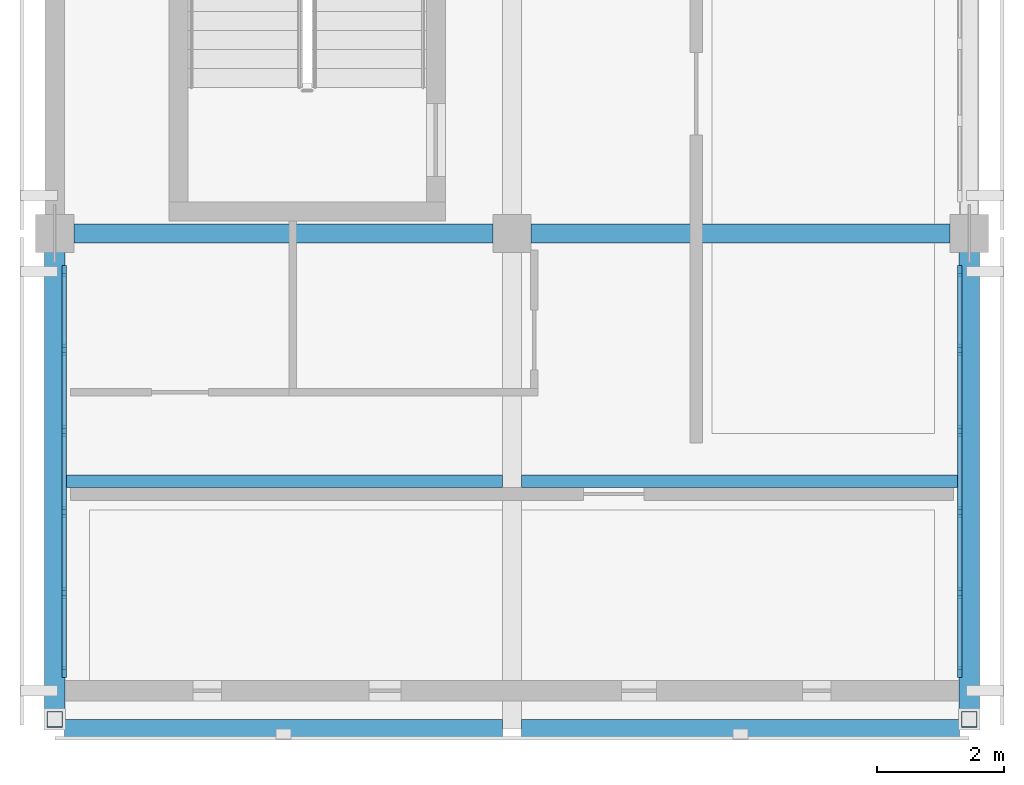
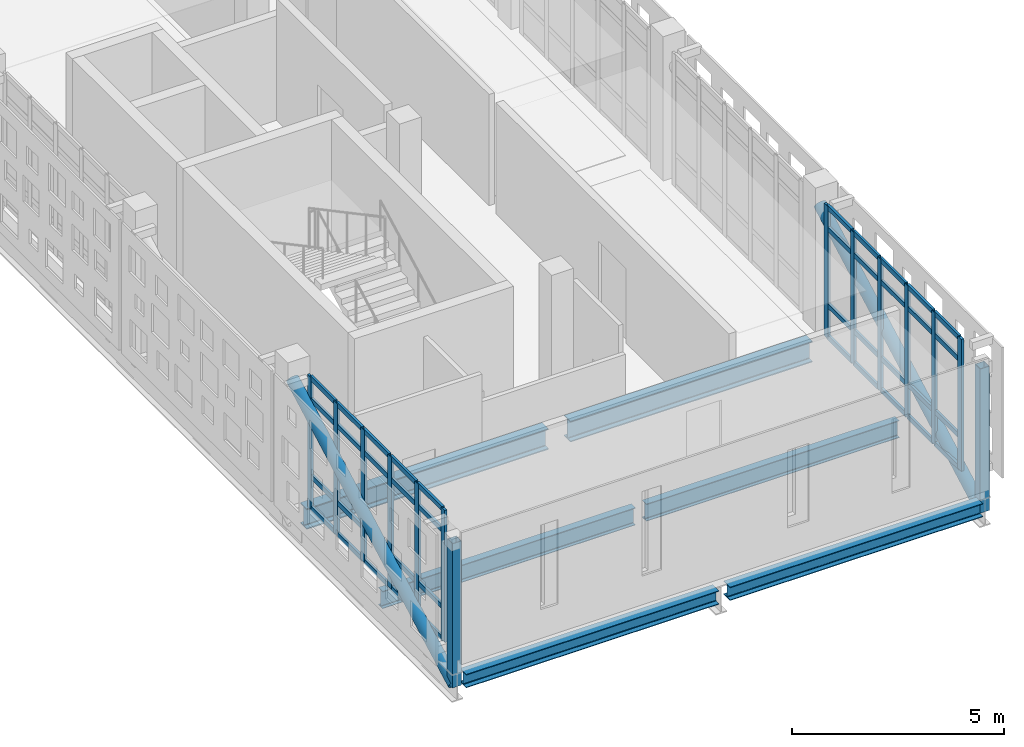
# One storey, part 2 of 21: 56 members, 6 beams, 2 elements without a shape of their own.
"""IFC4 building model written with IfcOpenShell, lengths in metres."""

from ifc_helpers import new_model, si_unit, direction, frame, origin, origin_2d, place, context, subcontext, project, spatial, rectangle, hollow_rectangle, hollow_circle, i_section, extrude, material, layer, layer_set, material_profile, profile_set, type_object, element, aggregate, save


model = new_model("IFC4")

# Units and contexts
model_context = context("Model", 3, precision=1e-05, world=origin(), true_north=direction((0.0, 1.0)))
body_context = subcontext(model_context, "Body", "Model", "MODEL_VIEW")
ifc_project = project(units=[si_unit("LENGTHUNIT", "METRE"), si_unit("AREAUNIT", "SQUARE_METRE"), si_unit("VOLUMEUNIT", "CUBIC_METRE"), si_unit("PLANEANGLEUNIT", "RADIAN"), si_unit("MASSUNIT", "GRAM", prefix="KILO")], contexts=[model_context])

# Site, building, storey
site_placement = place(None, origin())
site = spatial("IfcSite", under=ifc_project, at=site_placement, CompositionType="ELEMENT")
building_placement = place(site_placement, origin())
building = spatial("IfcBuilding", under=site, at=building_placement, Name="Valkovuoma Quantum and Materials Research Institute", CompositionType="ELEMENT")
storey_placement = place(building_placement, frame((0.0, 0.0, 33.919921875)))
storey = spatial("IfcBuildingStorey", under=building, at=storey_placement, Name="L08", CompositionType="ELEMENT", Elevation=33.919921875)

# Beams
ifc_material_1 = material(Name="Steel S355J2", Category="steel")
ifc_material_profile_1 = material_profile(ifc_material_1, i_section(OverallWidth=0.300048828125, OverallDepth=0.389892578125, WebThickness=0.010986328125, FlangeThickness=0.01904296875, FilletRadius=0.027099609375, at=origin_2d()), Name="Steel S355J2")
ifc_profile_set_1 = profile_set([ifc_material_profile_1], Name="Steel S355J2")
beam_type_1 = type_object("IfcBeamType", Name="Beam-B-HEA400", PredefinedType="SPANDREL", material=ifc_profile_set_1)
beam_1_placement = place(storey_placement, frame((0.14990234375, 21.0, -0.544921875), z_axis=(1.0, 0.0, 0.0), x_axis=(0.0, 1.0, 0.0)))
element("IfcBeam", 1, at=beam_1_placement, inside=storey, type_object=beam_type_1, Name="L08 cantilever tip beam 1", PredefinedType="SPANDREL", context=body_context, shape_type="SweptSolid", body=[
    extrude(i_section(OverallWidth=0.300048828125, OverallDepth=0.389892578125, WebThickness=0.010986328125, FlangeThickness=0.01904296875, FilletRadius=0.027099609375, at=origin_2d()), origin(), (0.0, 0.0, 1.0), 6.900146484375),
])
beam_2_placement = place(storey_placement, frame((7.35009765625, 21.0, -0.544921875), z_axis=(1.0, 0.0, 0.0), x_axis=(0.0, 1.0, 0.0)))
element("IfcBeam", 2, at=beam_2_placement, inside=storey, type_object=beam_type_1, Name="L08 cantilever tip beam 2", PredefinedType="SPANDREL", context=body_context, shape_type="SweptSolid", body=[
    extrude(i_section(OverallWidth=0.300048828125, OverallDepth=0.389892578125, WebThickness=0.010986328125, FlangeThickness=0.01904296875, FilletRadius=0.027099609375, at=origin_2d()), origin(), (0.0, 0.0, 1.0), 6.89990234375),
])
ifc_material_2 = material(Name="Steel S355J2", Category="steel")
ifc_material_profile_2 = material_profile(ifc_material_2, i_section(OverallWidth=0.300048828125, OverallDepth=0.60009765625, WebThickness=0.015380859375, FlangeThickness=0.030029296875, FilletRadius=0.027099609375, at=origin_2d()), Name="Steel S355J2")
ifc_profile_set_2 = profile_set([ifc_material_profile_2], Name="Steel S355J2")
beam_type_2 = type_object("IfcBeamType", Name="Beam-B-HEB600", PredefinedType="BEAM", material=ifc_profile_set_2)
beam_3_placement = place(storey_placement, frame((0.300048828125, 28.800048828125, -0.64990234375), z_axis=(1.0, 0.0, 0.0), x_axis=(0.0, 1.0, 0.0)))
element("IfcBeam", 3, at=beam_3_placement, inside=storey, type_object=beam_type_2, Name="L08 beam X-2532", PredefinedType="BEAM", context=body_context, shape_type="SweptSolid", body=[
    extrude(i_section(OverallWidth=0.300048828125, OverallDepth=0.60009765625, WebThickness=0.015380859375, FlangeThickness=0.030029296875, FilletRadius=0.027099609375, at=origin_2d()), origin(), (0.0, 0.0, 1.0), 6.599853515625),
])
beam_4_placement = place(storey_placement, frame((7.5, 28.800048828125, -0.64990234375), z_axis=(1.0, 0.0, 0.0), x_axis=(0.0, 1.0, 0.0)))
element("IfcBeam", 4, at=beam_4_placement, inside=storey, type_object=beam_type_2, Name="L08 beam X-2533", PredefinedType="BEAM", context=body_context, shape_type="SweptSolid", body=[
    extrude(i_section(OverallWidth=0.300048828125, OverallDepth=0.60009765625, WebThickness=0.015380859375, FlangeThickness=0.030029296875, FilletRadius=0.027099609375, at=origin_2d()), origin(), (0.0, 0.0, 1.0), 6.60009765625),
])
ifc_material_3 = material(Name="Steel S355J2", Category="steel")
ifc_material_profile_3 = material_profile(ifc_material_3, i_section(OverallWidth=0.199951171875, OverallDepth=0.5, WebThickness=0.01025390625, FlangeThickness=0.01611328125, FilletRadius=0.02099609375, at=origin_2d()), Name="Steel S355J2")
ifc_profile_set_3 = profile_set([ifc_material_profile_3], Name="Steel S355J2")
beam_type_3 = type_object("IfcBeamType", Name="Beam-B-IPE500", PredefinedType="BEAM", material=ifc_profile_set_3)
beam_5_placement = place(storey_placement, frame((0.14990234375, 24.89990234375, -0.599853515625), z_axis=(1.0, 0.0, 0.0), x_axis=(0.0, 1.0, 0.0)))
element("IfcBeam", 5, at=beam_5_placement, inside=storey, type_object=beam_type_3, Name="L08 cantilever mid beam 1", PredefinedType="BEAM", context=body_context, shape_type="SweptSolid", body=[
    extrude(i_section(OverallWidth=0.199951171875, OverallDepth=0.5, WebThickness=0.01025390625, FlangeThickness=0.01611328125, FilletRadius=0.02099609375, at=origin_2d()), origin(), (0.0, 0.0, 1.0), 6.900146484375),
])
beam_6_placement = place(storey_placement, frame((7.35009765625, 24.89990234375, -0.599853515625), z_axis=(1.0, 0.0, 0.0), x_axis=(0.0, 1.0, 0.0)))
element("IfcBeam", 6, at=beam_6_placement, inside=storey, type_object=beam_type_3, Name="L08 cantilever mid beam 2", PredefinedType="BEAM", context=body_context, shape_type="SweptSolid", body=[
    extrude(i_section(OverallWidth=0.199951171875, OverallDepth=0.5, WebThickness=0.01025390625, FlangeThickness=0.01611328125, FilletRadius=0.02099609375, at=origin_2d()), origin(), (0.0, 0.0, 1.0), 6.89990234375),
])

# Curtain wall, members
ifc_material_4 = material(Name="Thermally broken aluminium and triple low-E glazing", Category="aluminium")
ifc_layer = layer(ifc_material_4, 0.219970703125)
ifc_layer_set = layer_set([ifc_layer], Name="Thermally broken aluminium and triple low-E glazing")
curtain_wall_type = type_object("IfcCurtainWallType", Name="CW-CW-01", PredefinedType="NOTDEFINED", material=ifc_layer_set)
curtain_wall_1_placement = place(storey_placement, origin())
curtain_wall_1 = element("IfcCurtainWall", 7, at=curtain_wall_1_placement, inside=storey, type_object=curtain_wall_type, Name="L08 curtain wall 109", PredefinedType="NOTDEFINED")
ifc_material_5 = material(Name="Anodised aluminium 6060-T66", Category="aluminium")
ifc_material_profile_4 = material_profile(ifc_material_5, rectangle(XDim=0.06494140625, YDim=0.179931640625, at=origin_2d()), Name="Anodised aluminium 6060-T66")
ifc_profile_set_4 = profile_set([ifc_material_profile_4], Name="Anodised aluminium 6060-T66")
member_type_1 = type_object("IfcMemberType", Name="CWMull-CWM-01", PredefinedType="MULLION", material=ifc_profile_set_4)
member_1_placement = place(storey_placement, frame((0.14990234375, 21.900390625, 0.0), z_axis=(0.0, 0.0, 1.0), x_axis=(-1.0, 0.0, 0.0)))
member_1 = element("IfcMember", 8, at=member_1_placement, type_object=member_type_1, Name="CW-01 mullion 1", PredefinedType="MULLION", context=body_context, shape_type="SweptSolid", body=[
    extrude(rectangle(XDim=0.06494140625, YDim=0.179931640625, at=origin_2d()), origin(), (0.0, 0.0, 1.0), 3.81005859375),
])
member_2_placement = place(storey_placement, frame((0.14990234375, 23.142822265625, 0.0), z_axis=(0.0, 0.0, 1.0), x_axis=(-1.0, 0.0, 0.0)))
member_2 = element("IfcMember", 9, at=member_2_placement, type_object=member_type_1, Name="CW-01 mullion 2", PredefinedType="MULLION", context=body_context, shape_type="SweptSolid", body=[
    extrude(rectangle(XDim=0.06494140625, YDim=0.179931640625, at=origin_2d()), origin(), (0.0, 0.0, 1.0), 3.81005859375),
])
member_3_placement = place(storey_placement, frame((0.14990234375, 24.41796875, 0.0), z_axis=(0.0, 0.0, 1.0), x_axis=(-1.0, 0.0, 0.0)))
member_3 = element("IfcMember", 10, at=member_3_placement, type_object=member_type_1, Name="CW-01 mullion 3", PredefinedType="MULLION", context=body_context, shape_type="SweptSolid", body=[
    extrude(rectangle(XDim=0.06494140625, YDim=0.179931640625, at=origin_2d()), origin(), (0.0, 0.0, 1.0), 3.81005859375),
])
member_4_placement = place(storey_placement, frame((0.14990234375, 25.69287109375, 0.0), z_axis=(0.0, 0.0, 1.0), x_axis=(-1.0, 0.0, 0.0)))
member_4 = element("IfcMember", 11, at=member_4_placement, type_object=member_type_1, Name="CW-01 mullion 4", PredefinedType="MULLION", context=body_context, shape_type="SweptSolid", body=[
    extrude(rectangle(XDim=0.06494140625, YDim=0.179931640625, at=origin_2d()), origin(), (0.0, 0.0, 1.0), 3.81005859375),
])
member_5_placement = place(storey_placement, frame((0.14990234375, 26.968017578125, 0.0), z_axis=(0.0, 0.0, 1.0), x_axis=(-1.0, 0.0, 0.0)))
member_5 = element("IfcMember", 12, at=member_5_placement, type_object=member_type_1, Name="CW-01 mullion 5", PredefinedType="MULLION", context=body_context, shape_type="SweptSolid", body=[
    extrude(rectangle(XDim=0.06494140625, YDim=0.179931640625, at=origin_2d()), origin(), (0.0, 0.0, 1.0), 3.81005859375),
])
member_6_placement = place(storey_placement, frame((0.14990234375, 28.21044921875, 0.0), z_axis=(0.0, 0.0, 1.0), x_axis=(-1.0, 0.0, 0.0)))
member_6 = element("IfcMember", 13, at=member_6_placement, type_object=member_type_1, Name="CW-01 mullion 6", PredefinedType="MULLION", context=body_context, shape_type="SweptSolid", body=[
    extrude(rectangle(XDim=0.06494140625, YDim=0.179931640625, at=origin_2d()), origin(), (0.0, 0.0, 1.0), 3.81005859375),
])

curtain_wall_2_placement = place(storey_placement, origin())
curtain_wall_2 = element("IfcCurtainWall", 14, at=curtain_wall_2_placement, inside=storey, type_object=curtain_wall_type, Name="L08 curtain wall 110", PredefinedType="NOTDEFINED")
member_7_placement = place(storey_placement, frame((14.25, 21.900390625, 0.0), z_axis=(0.0, 0.0, 1.0), x_axis=(-1.0, 0.0, 0.0)))
member_7 = element("IfcMember", 15, at=member_7_placement, type_object=member_type_1, Name="CW-01 mullion 1", PredefinedType="MULLION", context=body_context, shape_type="SweptSolid", body=[
    extrude(rectangle(XDim=0.06494140625, YDim=0.179931640625, at=origin_2d()), origin(), (0.0, 0.0, 1.0), 3.81005859375),
])
member_8_placement = place(storey_placement, frame((14.25, 23.142822265625, 0.0), z_axis=(0.0, 0.0, 1.0), x_axis=(-1.0, 0.0, 0.0)))
member_8 = element("IfcMember", 16, at=member_8_placement, type_object=member_type_1, Name="CW-01 mullion 2", PredefinedType="MULLION", context=body_context, shape_type="SweptSolid", body=[
    extrude(rectangle(XDim=0.06494140625, YDim=0.179931640625, at=origin_2d()), origin(), (0.0, 0.0, 1.0), 3.81005859375),
])
member_9_placement = place(storey_placement, frame((14.25, 24.41796875, 0.0), z_axis=(0.0, 0.0, 1.0), x_axis=(-1.0, 0.0, 0.0)))
member_9 = element("IfcMember", 17, at=member_9_placement, type_object=member_type_1, Name="CW-01 mullion 3", PredefinedType="MULLION", context=body_context, shape_type="SweptSolid", body=[
    extrude(rectangle(XDim=0.06494140625, YDim=0.179931640625, at=origin_2d()), origin(), (0.0, 0.0, 1.0), 3.81005859375),
])
member_10_placement = place(storey_placement, frame((14.25, 25.69287109375, 0.0), z_axis=(0.0, 0.0, 1.0), x_axis=(-1.0, 0.0, 0.0)))
member_10 = element("IfcMember", 18, at=member_10_placement, type_object=member_type_1, Name="CW-01 mullion 4", PredefinedType="MULLION", context=body_context, shape_type="SweptSolid", body=[
    extrude(rectangle(XDim=0.06494140625, YDim=0.179931640625, at=origin_2d()), origin(), (0.0, 0.0, 1.0), 3.81005859375),
])
member_11_placement = place(storey_placement, frame((14.25, 26.968017578125, 0.0), z_axis=(0.0, 0.0, 1.0), x_axis=(-1.0, 0.0, 0.0)))
member_11 = element("IfcMember", 19, at=member_11_placement, type_object=member_type_1, Name="CW-01 mullion 5", PredefinedType="MULLION", context=body_context, shape_type="SweptSolid", body=[
    extrude(rectangle(XDim=0.06494140625, YDim=0.179931640625, at=origin_2d()), origin(), (0.0, 0.0, 1.0), 3.81005859375),
])
member_12_placement = place(storey_placement, frame((14.25, 28.21044921875, 0.0), z_axis=(0.0, 0.0, 1.0), x_axis=(-1.0, 0.0, 0.0)))
member_12 = element("IfcMember", 20, at=member_12_placement, type_object=member_type_1, Name="CW-01 mullion 6", PredefinedType="MULLION", context=body_context, shape_type="SweptSolid", body=[
    extrude(rectangle(XDim=0.06494140625, YDim=0.179931640625, at=origin_2d()), origin(), (0.0, 0.0, 1.0), 3.81005859375),
])

# Member
ifc_material_6 = material(Name="Anodised aluminium 6060-T66", Category="aluminium")
ifc_material_profile_5 = material_profile(ifc_material_6, rectangle(XDim=0.06494140625, YDim=0.139892578125, at=origin_2d()), Name="Anodised aluminium 6060-T66")
ifc_profile_set_5 = profile_set([ifc_material_profile_5], Name="Anodised aluminium 6060-T66")
member_type_2 = type_object("IfcMemberType", Name="CWTran-CWT-01", PredefinedType="USERDEFINED", material=ifc_profile_set_5)
member_13_placement = place(storey_placement, frame((0.14990234375, 21.932861328125, 0.032470703125), z_axis=(0.0, 1.0, 0.0), x_axis=(-1.0, 0.0, 0.0)))
member_13 = element("IfcMember", 21, at=member_13_placement, type_object=member_type_2, Name="CW-01 transom 1.1", ObjectType="TRANSOM", PredefinedType="USERDEFINED", context=body_context, shape_type="SweptSolid", body=[
    extrude(rectangle(XDim=0.06494140625, YDim=0.139892578125, at=origin_2d()), origin(), (0.0, 0.0, 1.0), 1.177490234375),
])

member_14_placement = place(storey_placement, frame((0.14990234375, 21.932861328125, 0.9501953125), z_axis=(0.0, 1.0, 0.0), x_axis=(-1.0, 0.0, 0.0)))
member_14 = element("IfcMember", 22, at=member_14_placement, type_object=member_type_2, Name="CW-01 transom 1.2", ObjectType="TRANSOM", PredefinedType="USERDEFINED", context=body_context, shape_type="SweptSolid", body=[
    extrude(rectangle(XDim=0.06494140625, YDim=0.139892578125, at=origin_2d()), origin(), (0.0, 0.0, 1.0), 1.177490234375),
])

member_15_placement = place(storey_placement, frame((0.14990234375, 21.932861328125, 3.16015625), z_axis=(0.0, 1.0, 0.0), x_axis=(-1.0, 0.0, 0.0)))
member_15 = element("IfcMember", 23, at=member_15_placement, type_object=member_type_2, Name="CW-01 transom 1.3", ObjectType="TRANSOM", PredefinedType="USERDEFINED", context=body_context, shape_type="SweptSolid", body=[
    extrude(rectangle(XDim=0.06494140625, YDim=0.139892578125, at=origin_2d()), origin(), (0.0, 0.0, 1.0), 1.177490234375),
])

member_16_placement = place(storey_placement, frame((0.14990234375, 21.932861328125, 3.777587890625), z_axis=(0.0, 1.0, 0.0), x_axis=(-1.0, 0.0, 0.0)))
member_16 = element("IfcMember", 24, at=member_16_placement, type_object=member_type_2, Name="CW-01 transom 1.4", ObjectType="TRANSOM", PredefinedType="USERDEFINED", context=body_context, shape_type="SweptSolid", body=[
    extrude(rectangle(XDim=0.06494140625, YDim=0.139892578125, at=origin_2d()), origin(), (0.0, 0.0, 1.0), 1.177490234375),
])

member_17_placement = place(storey_placement, frame((0.14990234375, 23.17529296875, 0.032470703125), z_axis=(0.0, 1.0, 0.0), x_axis=(-1.0, 0.0, 0.0)))
member_17 = element("IfcMember", 25, at=member_17_placement, type_object=member_type_2, Name="CW-01 transom 2.1", ObjectType="TRANSOM", PredefinedType="USERDEFINED", context=body_context, shape_type="SweptSolid", body=[
    extrude(rectangle(XDim=0.06494140625, YDim=0.139892578125, at=origin_2d()), origin(), (0.0, 0.0, 1.0), 1.210205078125),
])

member_18_placement = place(storey_placement, frame((0.14990234375, 23.17529296875, 0.9501953125), z_axis=(0.0, 1.0, 0.0), x_axis=(-1.0, 0.0, 0.0)))
member_18 = element("IfcMember", 26, at=member_18_placement, type_object=member_type_2, Name="CW-01 transom 2.2", ObjectType="TRANSOM", PredefinedType="USERDEFINED", context=body_context, shape_type="SweptSolid", body=[
    extrude(rectangle(XDim=0.06494140625, YDim=0.139892578125, at=origin_2d()), origin(), (0.0, 0.0, 1.0), 1.210205078125),
])

member_19_placement = place(storey_placement, frame((0.14990234375, 23.17529296875, 3.16015625), z_axis=(0.0, 1.0, 0.0), x_axis=(-1.0, 0.0, 0.0)))
member_19 = element("IfcMember", 27, at=member_19_placement, type_object=member_type_2, Name="CW-01 transom 2.3", ObjectType="TRANSOM", PredefinedType="USERDEFINED", context=body_context, shape_type="SweptSolid", body=[
    extrude(rectangle(XDim=0.06494140625, YDim=0.139892578125, at=origin_2d()), origin(), (0.0, 0.0, 1.0), 1.210205078125),
])

member_20_placement = place(storey_placement, frame((0.14990234375, 23.17529296875, 3.777587890625), z_axis=(0.0, 1.0, 0.0), x_axis=(-1.0, 0.0, 0.0)))
member_20 = element("IfcMember", 28, at=member_20_placement, type_object=member_type_2, Name="CW-01 transom 2.4", ObjectType="TRANSOM", PredefinedType="USERDEFINED", context=body_context, shape_type="SweptSolid", body=[
    extrude(rectangle(XDim=0.06494140625, YDim=0.139892578125, at=origin_2d()), origin(), (0.0, 0.0, 1.0), 1.210205078125),
])

member_21_placement = place(storey_placement, frame((0.14990234375, 24.450439453125, 0.032470703125), z_axis=(0.0, 1.0, 0.0), x_axis=(-1.0, 0.0, 0.0)))
member_21 = element("IfcMember", 29, at=member_21_placement, type_object=member_type_2, Name="CW-01 transom 3.1", ObjectType="TRANSOM", PredefinedType="USERDEFINED", context=body_context, shape_type="SweptSolid", body=[
    extrude(rectangle(XDim=0.06494140625, YDim=0.139892578125, at=origin_2d()), origin(), (0.0, 0.0, 1.0), 1.2099609375),
])

member_22_placement = place(storey_placement, frame((0.14990234375, 24.450439453125, 0.9501953125), z_axis=(0.0, 1.0, 0.0), x_axis=(-1.0, 0.0, 0.0)))
member_22 = element("IfcMember", 30, at=member_22_placement, type_object=member_type_2, Name="CW-01 transom 3.2", ObjectType="TRANSOM", PredefinedType="USERDEFINED", context=body_context, shape_type="SweptSolid", body=[
    extrude(rectangle(XDim=0.06494140625, YDim=0.139892578125, at=origin_2d()), origin(), (0.0, 0.0, 1.0), 1.2099609375),
])

member_23_placement = place(storey_placement, frame((0.14990234375, 24.450439453125, 3.16015625), z_axis=(0.0, 1.0, 0.0), x_axis=(-1.0, 0.0, 0.0)))
member_23 = element("IfcMember", 31, at=member_23_placement, type_object=member_type_2, Name="CW-01 transom 3.3", ObjectType="TRANSOM", PredefinedType="USERDEFINED", context=body_context, shape_type="SweptSolid", body=[
    extrude(rectangle(XDim=0.06494140625, YDim=0.139892578125, at=origin_2d()), origin(), (0.0, 0.0, 1.0), 1.2099609375),
])

member_24_placement = place(storey_placement, frame((0.14990234375, 24.450439453125, 3.777587890625), z_axis=(0.0, 1.0, 0.0), x_axis=(-1.0, 0.0, 0.0)))
member_24 = element("IfcMember", 32, at=member_24_placement, type_object=member_type_2, Name="CW-01 transom 3.4", ObjectType="TRANSOM", PredefinedType="USERDEFINED", context=body_context, shape_type="SweptSolid", body=[
    extrude(rectangle(XDim=0.06494140625, YDim=0.139892578125, at=origin_2d()), origin(), (0.0, 0.0, 1.0), 1.2099609375),
])

member_25_placement = place(storey_placement, frame((0.14990234375, 25.725341796875, 0.032470703125), z_axis=(0.0, 1.0, 0.0), x_axis=(-1.0, 0.0, 0.0)))
member_25 = element("IfcMember", 33, at=member_25_placement, type_object=member_type_2, Name="CW-01 transom 4.1", ObjectType="TRANSOM", PredefinedType="USERDEFINED", context=body_context, shape_type="SweptSolid", body=[
    extrude(rectangle(XDim=0.06494140625, YDim=0.139892578125, at=origin_2d()), origin(), (0.0, 0.0, 1.0), 1.2099609375),
])

member_26_placement = place(storey_placement, frame((0.14990234375, 25.725341796875, 0.9501953125), z_axis=(0.0, 1.0, 0.0), x_axis=(-1.0, 0.0, 0.0)))
member_26 = element("IfcMember", 34, at=member_26_placement, type_object=member_type_2, Name="CW-01 transom 4.2", ObjectType="TRANSOM", PredefinedType="USERDEFINED", context=body_context, shape_type="SweptSolid", body=[
    extrude(rectangle(XDim=0.06494140625, YDim=0.139892578125, at=origin_2d()), origin(), (0.0, 0.0, 1.0), 1.2099609375),
])

member_27_placement = place(storey_placement, frame((0.14990234375, 25.725341796875, 3.16015625), z_axis=(0.0, 1.0, 0.0), x_axis=(-1.0, 0.0, 0.0)))
member_27 = element("IfcMember", 35, at=member_27_placement, type_object=member_type_2, Name="CW-01 transom 4.3", ObjectType="TRANSOM", PredefinedType="USERDEFINED", context=body_context, shape_type="SweptSolid", body=[
    extrude(rectangle(XDim=0.06494140625, YDim=0.139892578125, at=origin_2d()), origin(), (0.0, 0.0, 1.0), 1.2099609375),
])

member_28_placement = place(storey_placement, frame((0.14990234375, 25.725341796875, 3.777587890625), z_axis=(0.0, 1.0, 0.0), x_axis=(-1.0, 0.0, 0.0)))
member_28 = element("IfcMember", 36, at=member_28_placement, type_object=member_type_2, Name="CW-01 transom 4.4", ObjectType="TRANSOM", PredefinedType="USERDEFINED", context=body_context, shape_type="SweptSolid", body=[
    extrude(rectangle(XDim=0.06494140625, YDim=0.139892578125, at=origin_2d()), origin(), (0.0, 0.0, 1.0), 1.2099609375),
])

member_29_placement = place(storey_placement, frame((0.14990234375, 27.00048828125, 0.032470703125), z_axis=(0.0, 1.0, 0.0), x_axis=(-1.0, 0.0, 0.0)))
member_29 = element("IfcMember", 37, at=member_29_placement, type_object=member_type_2, Name="CW-01 transom 5.1", ObjectType="TRANSOM", PredefinedType="USERDEFINED", context=body_context, shape_type="SweptSolid", body=[
    extrude(rectangle(XDim=0.06494140625, YDim=0.139892578125, at=origin_2d()), origin(), (0.0, 0.0, 1.0), 1.177490234375),
])

member_30_placement = place(storey_placement, frame((0.14990234375, 27.00048828125, 0.9501953125), z_axis=(0.0, 1.0, 0.0), x_axis=(-1.0, 0.0, 0.0)))
member_30 = element("IfcMember", 38, at=member_30_placement, type_object=member_type_2, Name="CW-01 transom 5.2", ObjectType="TRANSOM", PredefinedType="USERDEFINED", context=body_context, shape_type="SweptSolid", body=[
    extrude(rectangle(XDim=0.06494140625, YDim=0.139892578125, at=origin_2d()), origin(), (0.0, 0.0, 1.0), 1.177490234375),
])

member_31_placement = place(storey_placement, frame((0.14990234375, 27.00048828125, 3.16015625), z_axis=(0.0, 1.0, 0.0), x_axis=(-1.0, 0.0, 0.0)))
member_31 = element("IfcMember", 39, at=member_31_placement, type_object=member_type_2, Name="CW-01 transom 5.3", ObjectType="TRANSOM", PredefinedType="USERDEFINED", context=body_context, shape_type="SweptSolid", body=[
    extrude(rectangle(XDim=0.06494140625, YDim=0.139892578125, at=origin_2d()), origin(), (0.0, 0.0, 1.0), 1.177490234375),
])

member_32_placement = place(storey_placement, frame((0.14990234375, 27.00048828125, 3.777587890625), z_axis=(0.0, 1.0, 0.0), x_axis=(-1.0, 0.0, 0.0)))
member_32 = element("IfcMember", 40, at=member_32_placement, type_object=member_type_2, Name="CW-01 transom 5.4", ObjectType="TRANSOM", PredefinedType="USERDEFINED", context=body_context, shape_type="SweptSolid", body=[
    extrude(rectangle(XDim=0.06494140625, YDim=0.139892578125, at=origin_2d()), origin(), (0.0, 0.0, 1.0), 1.177490234375),
])

aggregate(curtain_wall_1, [member_1, member_2, member_3, member_4, member_5, member_6, member_13, member_14, member_15, member_16, member_17, member_18, member_19, member_20, member_21, member_22, member_23, member_24, member_25, member_26, member_27, member_28, member_29, member_30, member_31, member_32])

member_33_placement = place(storey_placement, frame((14.25, 21.932861328125, 0.032470703125), z_axis=(0.0, 1.0, 0.0), x_axis=(-1.0, 0.0, 0.0)))
member_33 = element("IfcMember", 41, at=member_33_placement, type_object=member_type_2, Name="CW-01 transom 1.1", ObjectType="TRANSOM", PredefinedType="USERDEFINED", context=body_context, shape_type="SweptSolid", body=[
    extrude(rectangle(XDim=0.06494140625, YDim=0.139892578125, at=origin_2d()), origin(), (0.0, 0.0, 1.0), 1.177490234375),
])

member_34_placement = place(storey_placement, frame((14.25, 21.932861328125, 0.9501953125), z_axis=(0.0, 1.0, 0.0), x_axis=(-1.0, 0.0, 0.0)))
member_34 = element("IfcMember", 42, at=member_34_placement, type_object=member_type_2, Name="CW-01 transom 1.2", ObjectType="TRANSOM", PredefinedType="USERDEFINED", context=body_context, shape_type="SweptSolid", body=[
    extrude(rectangle(XDim=0.06494140625, YDim=0.139892578125, at=origin_2d()), origin(), (0.0, 0.0, 1.0), 1.177490234375),
])

member_35_placement = place(storey_placement, frame((14.25, 21.932861328125, 3.16015625), z_axis=(0.0, 1.0, 0.0), x_axis=(-1.0, 0.0, 0.0)))
member_35 = element("IfcMember", 43, at=member_35_placement, type_object=member_type_2, Name="CW-01 transom 1.3", ObjectType="TRANSOM", PredefinedType="USERDEFINED", context=body_context, shape_type="SweptSolid", body=[
    extrude(rectangle(XDim=0.06494140625, YDim=0.139892578125, at=origin_2d()), origin(), (0.0, 0.0, 1.0), 1.177490234375),
])

member_36_placement = place(storey_placement, frame((14.25, 21.932861328125, 3.777587890625), z_axis=(0.0, 1.0, 0.0), x_axis=(-1.0, 0.0, 0.0)))
member_36 = element("IfcMember", 44, at=member_36_placement, type_object=member_type_2, Name="CW-01 transom 1.4", ObjectType="TRANSOM", PredefinedType="USERDEFINED", context=body_context, shape_type="SweptSolid", body=[
    extrude(rectangle(XDim=0.06494140625, YDim=0.139892578125, at=origin_2d()), origin(), (0.0, 0.0, 1.0), 1.177490234375),
])

member_37_placement = place(storey_placement, frame((14.25, 23.17529296875, 0.032470703125), z_axis=(0.0, 1.0, 0.0), x_axis=(-1.0, 0.0, 0.0)))
member_37 = element("IfcMember", 45, at=member_37_placement, type_object=member_type_2, Name="CW-01 transom 2.1", ObjectType="TRANSOM", PredefinedType="USERDEFINED", context=body_context, shape_type="SweptSolid", body=[
    extrude(rectangle(XDim=0.06494140625, YDim=0.139892578125, at=origin_2d()), origin(), (0.0, 0.0, 1.0), 1.210205078125),
])

member_38_placement = place(storey_placement, frame((14.25, 23.17529296875, 0.9501953125), z_axis=(0.0, 1.0, 0.0), x_axis=(-1.0, 0.0, 0.0)))
member_38 = element("IfcMember", 46, at=member_38_placement, type_object=member_type_2, Name="CW-01 transom 2.2", ObjectType="TRANSOM", PredefinedType="USERDEFINED", context=body_context, shape_type="SweptSolid", body=[
    extrude(rectangle(XDim=0.06494140625, YDim=0.139892578125, at=origin_2d()), origin(), (0.0, 0.0, 1.0), 1.210205078125),
])

member_39_placement = place(storey_placement, frame((14.25, 23.17529296875, 3.16015625), z_axis=(0.0, 1.0, 0.0), x_axis=(-1.0, 0.0, 0.0)))
member_39 = element("IfcMember", 47, at=member_39_placement, type_object=member_type_2, Name="CW-01 transom 2.3", ObjectType="TRANSOM", PredefinedType="USERDEFINED", context=body_context, shape_type="SweptSolid", body=[
    extrude(rectangle(XDim=0.06494140625, YDim=0.139892578125, at=origin_2d()), origin(), (0.0, 0.0, 1.0), 1.210205078125),
])

member_40_placement = place(storey_placement, frame((14.25, 23.17529296875, 3.777587890625), z_axis=(0.0, 1.0, 0.0), x_axis=(-1.0, 0.0, 0.0)))
member_40 = element("IfcMember", 48, at=member_40_placement, type_object=member_type_2, Name="CW-01 transom 2.4", ObjectType="TRANSOM", PredefinedType="USERDEFINED", context=body_context, shape_type="SweptSolid", body=[
    extrude(rectangle(XDim=0.06494140625, YDim=0.139892578125, at=origin_2d()), origin(), (0.0, 0.0, 1.0), 1.210205078125),
])

member_41_placement = place(storey_placement, frame((14.25, 24.450439453125, 0.032470703125), z_axis=(0.0, 1.0, 0.0), x_axis=(-1.0, 0.0, 0.0)))
member_41 = element("IfcMember", 49, at=member_41_placement, type_object=member_type_2, Name="CW-01 transom 3.1", ObjectType="TRANSOM", PredefinedType="USERDEFINED", context=body_context, shape_type="SweptSolid", body=[
    extrude(rectangle(XDim=0.06494140625, YDim=0.139892578125, at=origin_2d()), origin(), (0.0, 0.0, 1.0), 1.2099609375),
])

member_42_placement = place(storey_placement, frame((14.25, 24.450439453125, 0.9501953125), z_axis=(0.0, 1.0, 0.0), x_axis=(-1.0, 0.0, 0.0)))
member_42 = element("IfcMember", 50, at=member_42_placement, type_object=member_type_2, Name="CW-01 transom 3.2", ObjectType="TRANSOM", PredefinedType="USERDEFINED", context=body_context, shape_type="SweptSolid", body=[
    extrude(rectangle(XDim=0.06494140625, YDim=0.139892578125, at=origin_2d()), origin(), (0.0, 0.0, 1.0), 1.2099609375),
])

member_43_placement = place(storey_placement, frame((14.25, 24.450439453125, 3.16015625), z_axis=(0.0, 1.0, 0.0), x_axis=(-1.0, 0.0, 0.0)))
member_43 = element("IfcMember", 51, at=member_43_placement, type_object=member_type_2, Name="CW-01 transom 3.3", ObjectType="TRANSOM", PredefinedType="USERDEFINED", context=body_context, shape_type="SweptSolid", body=[
    extrude(rectangle(XDim=0.06494140625, YDim=0.139892578125, at=origin_2d()), origin(), (0.0, 0.0, 1.0), 1.2099609375),
])

member_44_placement = place(storey_placement, frame((14.25, 24.450439453125, 3.777587890625), z_axis=(0.0, 1.0, 0.0), x_axis=(-1.0, 0.0, 0.0)))
member_44 = element("IfcMember", 52, at=member_44_placement, type_object=member_type_2, Name="CW-01 transom 3.4", ObjectType="TRANSOM", PredefinedType="USERDEFINED", context=body_context, shape_type="SweptSolid", body=[
    extrude(rectangle(XDim=0.06494140625, YDim=0.139892578125, at=origin_2d()), origin(), (0.0, 0.0, 1.0), 1.2099609375),
])

member_45_placement = place(storey_placement, frame((14.25, 25.725341796875, 0.032470703125), z_axis=(0.0, 1.0, 0.0), x_axis=(-1.0, 0.0, 0.0)))
member_45 = element("IfcMember", 53, at=member_45_placement, type_object=member_type_2, Name="CW-01 transom 4.1", ObjectType="TRANSOM", PredefinedType="USERDEFINED", context=body_context, shape_type="SweptSolid", body=[
    extrude(rectangle(XDim=0.06494140625, YDim=0.139892578125, at=origin_2d()), origin(), (0.0, 0.0, 1.0), 1.2099609375),
])

member_46_placement = place(storey_placement, frame((14.25, 25.725341796875, 0.9501953125), z_axis=(0.0, 1.0, 0.0), x_axis=(-1.0, 0.0, 0.0)))
member_46 = element("IfcMember", 54, at=member_46_placement, type_object=member_type_2, Name="CW-01 transom 4.2", ObjectType="TRANSOM", PredefinedType="USERDEFINED", context=body_context, shape_type="SweptSolid", body=[
    extrude(rectangle(XDim=0.06494140625, YDim=0.139892578125, at=origin_2d()), origin(), (0.0, 0.0, 1.0), 1.2099609375),
])

member_47_placement = place(storey_placement, frame((14.25, 25.725341796875, 3.16015625), z_axis=(0.0, 1.0, 0.0), x_axis=(-1.0, 0.0, 0.0)))
member_47 = element("IfcMember", 55, at=member_47_placement, type_object=member_type_2, Name="CW-01 transom 4.3", ObjectType="TRANSOM", PredefinedType="USERDEFINED", context=body_context, shape_type="SweptSolid", body=[
    extrude(rectangle(XDim=0.06494140625, YDim=0.139892578125, at=origin_2d()), origin(), (0.0, 0.0, 1.0), 1.2099609375),
])

member_48_placement = place(storey_placement, frame((14.25, 25.725341796875, 3.777587890625), z_axis=(0.0, 1.0, 0.0), x_axis=(-1.0, 0.0, 0.0)))
member_48 = element("IfcMember", 56, at=member_48_placement, type_object=member_type_2, Name="CW-01 transom 4.4", ObjectType="TRANSOM", PredefinedType="USERDEFINED", context=body_context, shape_type="SweptSolid", body=[
    extrude(rectangle(XDim=0.06494140625, YDim=0.139892578125, at=origin_2d()), origin(), (0.0, 0.0, 1.0), 1.2099609375),
])

member_49_placement = place(storey_placement, frame((14.25, 27.00048828125, 0.032470703125), z_axis=(0.0, 1.0, 0.0), x_axis=(-1.0, 0.0, 0.0)))
member_49 = element("IfcMember", 57, at=member_49_placement, type_object=member_type_2, Name="CW-01 transom 5.1", ObjectType="TRANSOM", PredefinedType="USERDEFINED", context=body_context, shape_type="SweptSolid", body=[
    extrude(rectangle(XDim=0.06494140625, YDim=0.139892578125, at=origin_2d()), origin(), (0.0, 0.0, 1.0), 1.177490234375),
])

member_50_placement = place(storey_placement, frame((14.25, 27.00048828125, 0.9501953125), z_axis=(0.0, 1.0, 0.0), x_axis=(-1.0, 0.0, 0.0)))
member_50 = element("IfcMember", 58, at=member_50_placement, type_object=member_type_2, Name="CW-01 transom 5.2", ObjectType="TRANSOM", PredefinedType="USERDEFINED", context=body_context, shape_type="SweptSolid", body=[
    extrude(rectangle(XDim=0.06494140625, YDim=0.139892578125, at=origin_2d()), origin(), (0.0, 0.0, 1.0), 1.177490234375),
])

member_51_placement = place(storey_placement, frame((14.25, 27.00048828125, 3.16015625), z_axis=(0.0, 1.0, 0.0), x_axis=(-1.0, 0.0, 0.0)))
member_51 = element("IfcMember", 59, at=member_51_placement, type_object=member_type_2, Name="CW-01 transom 5.3", ObjectType="TRANSOM", PredefinedType="USERDEFINED", context=body_context, shape_type="SweptSolid", body=[
    extrude(rectangle(XDim=0.06494140625, YDim=0.139892578125, at=origin_2d()), origin(), (0.0, 0.0, 1.0), 1.177490234375),
])

member_52_placement = place(storey_placement, frame((14.25, 27.00048828125, 3.777587890625), z_axis=(0.0, 1.0, 0.0), x_axis=(-1.0, 0.0, 0.0)))
member_52 = element("IfcMember", 60, at=member_52_placement, type_object=member_type_2, Name="CW-01 transom 5.4", ObjectType="TRANSOM", PredefinedType="USERDEFINED", context=body_context, shape_type="SweptSolid", body=[
    extrude(rectangle(XDim=0.06494140625, YDim=0.139892578125, at=origin_2d()), origin(), (0.0, 0.0, 1.0), 1.177490234375),
])

aggregate(curtain_wall_2, [member_7, member_8, member_9, member_10, member_11, member_12, member_33, member_34, member_35, member_36, member_37, member_38, member_39, member_40, member_41, member_42, member_43, member_44, member_45, member_46, member_47, member_48, member_49, member_50, member_51, member_52])

# Members
ifc_material_7 = material(Name="Steel S355J2H", Category="steel")
ifc_material_profile_6 = material_profile(ifc_material_7, hollow_circle(Radius=0.161865234375, WallThickness=0.01611328125, at=origin_2d()), Name="Steel S355J2H")
ifc_profile_set_6 = profile_set([ifc_material_profile_6], Name="Steel S355J2H")
member_type_3 = type_object("IfcMemberType", Name="Mem-M-BRC324", PredefinedType="BRACE", material=ifc_profile_set_6)
for number, where, z_axis, x_axis, name in (
    (61, (0.0, 21.14990234375, -0.75), (0.0, 0.878505577707, 0.477732090127), (-1.0, 0.0, 0.0), "L08 cantilever overhang diagonal 0"),
    (62, (14.39990234375, 21.14990234375, -0.75), (0.0, 0.878505577707, 0.477732090127), (-1.0, 0.0, 0.0), "L08 cantilever overhang diagonal 1"),
):
    element("IfcMember", number, at=place(storey_placement, frame(where, z_axis=z_axis, x_axis=x_axis)), inside=storey, type_object=member_type_3, Name=name, PredefinedType="BRACE", context=body_context, shape_type="SweptSolid", body=[
        extrude(hollow_circle(Radius=0.161865234375, WallThickness=0.01611328125, at=origin_2d()), origin(), (0.0, 0.0, 1.0), 8.708251953125),
    ])
ifc_material_8 = material(Name="Steel S355J2H", Category="steel")
ifc_material_profile_7 = material_profile(ifc_material_8, hollow_rectangle(XDim=0.25, YDim=0.25, WallThickness=0.012451171875, at=origin_2d()), Name="Steel S355J2H")
ifc_profile_set_7 = profile_set([ifc_material_profile_7], Name="Steel S355J2H")
member_type_4 = type_object("IfcMemberType", Name="Mem-M-STR250", PredefinedType="STRUT", material=ifc_profile_set_7)
for number, where, z_axis, x_axis, name in (
    (63, (0.0, 21.14990234375, -0.75), (0.0, 0.0, 1.0), (1.0, 0.0, 0.0), "L08 cantilever tip strut 0"),
    (64, (14.39990234375, 21.14990234375, -0.75), (0.0, 0.0, 1.0), (1.0, 0.0, 0.0), "L08 cantilever tip strut 1"),
):
    element("IfcMember", number, at=place(storey_placement, frame(where, z_axis=z_axis, x_axis=x_axis)), inside=storey, type_object=member_type_4, Name=name, PredefinedType="STRUT", context=body_context, shape_type="SweptSolid", body=[
        extrude(hollow_rectangle(XDim=0.25, YDim=0.25, WallThickness=0.012451171875, at=origin_2d()), origin(), (0.0, 0.0, 1.0), 4.16015625),
    ])

save(model, "model.ifc")
